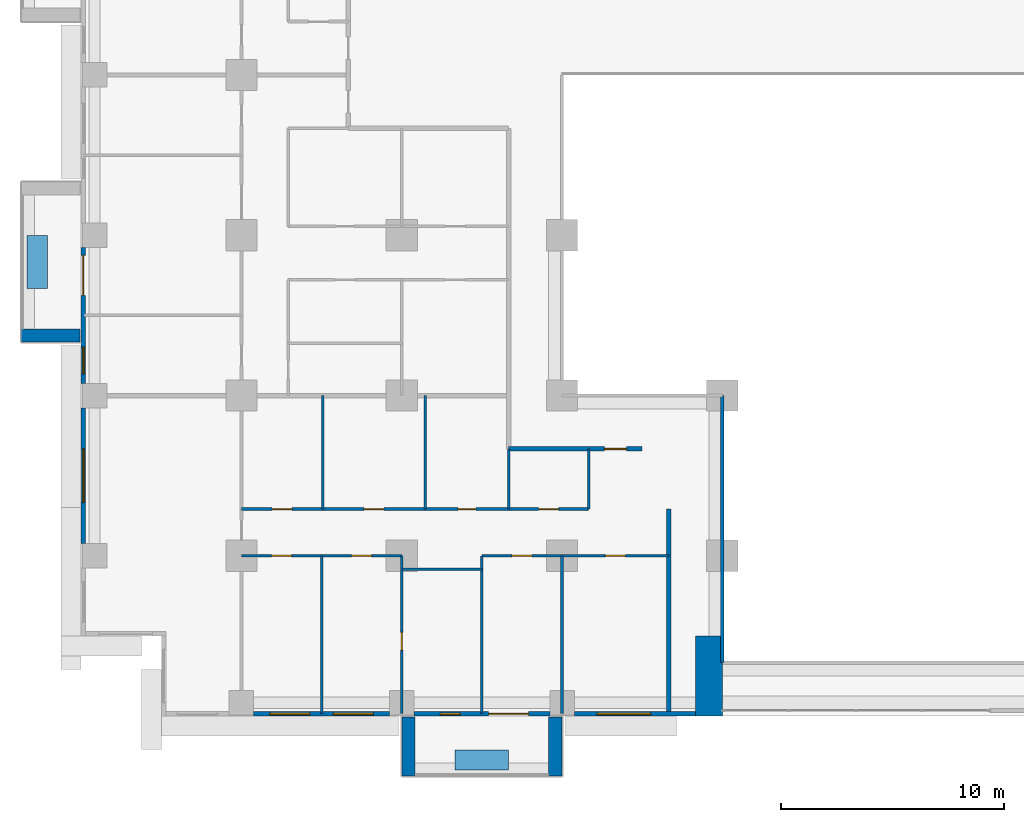
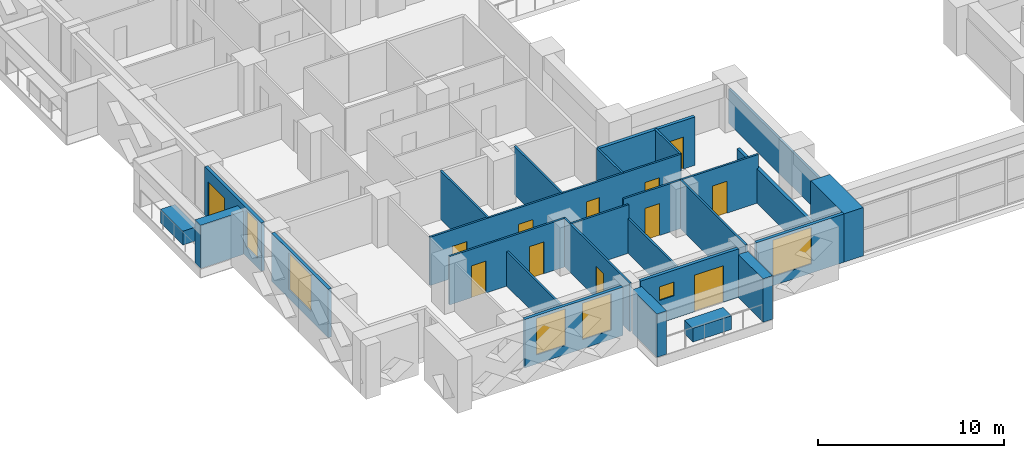
# One storey, part 6 of 17: 26 walls, 12 doors, 6 windows, 18 openings.
"""IFC4 building model written with IfcOpenShell, lengths in metres."""

import ifcopenshell
import ifcopenshell.guid

model = None  # the IFC model being written
_history = None  # IfcOwnerHistory: only IFC2X3 demands one
_inside = {}  # id of a spatial element -> (the spatial element, [elements in it])
_under = {}  # id of a project, library or spatial element -> (it, [spatial elements below it])
_declared = {}  # id of a project -> (the project, [libraries it declares])
_typed = {}  # id of a type object -> (the type object, [elements of that type])
_made_of = {}  # id of a material, layer set ... -> (it, [elements and type objects made of it])


def new_model(schema):
    """Start an empty IFC model of exactly this schema.

    Asked for "IFC4X3", IfcOpenShell would pick the latest addendum, in which some entities
    have other attributes; the version numbers below select the first issue.
    IFC2X3 requires an IfcOwnerHistory on every rooted entity: one is made here for all.
    """
    global model, _history
    if schema == "IFC4X3":
        model = ifcopenshell.file(schema_version=(4, 3, 0, 0))
    else:
        model = ifcopenshell.file(schema=schema)
    _inside.clear()
    _under.clear()
    _declared.clear()
    _typed.clear()
    _made_of.clear()
    _history = None
    if model.schema == "IFC2X3":
        org = make("IfcOrganization", Name="unknown")
        user = make(
            "IfcPersonAndOrganization",
            ThePerson=make("IfcPerson", FamilyName="unknown"),
            TheOrganization=org,
        )
        app = make(
            "IfcApplication",
            ApplicationDeveloper=org,
            Version="unknown",
            ApplicationFullName="unknown",
            ApplicationIdentifier="unknown",
        )
        _history = make(
            "IfcOwnerHistory",
            OwningUser=user,
            OwningApplication=app,
            ChangeAction="ADDED",
            CreationDate=0,
        )
    return model


def make(cls, **values):
    """One entity of the class cls with the attributes given. An attribute that is None is left unset."""
    return model.create_entity(
        cls, **{name: value for name, value in values.items() if value is not None}
    )


def rooted(cls, **values):
    """An entity with a GlobalId (a new one), such as an element, a storey or a relation."""
    return make(cls, GlobalId=ifcopenshell.guid.new(), OwnerHistory=_history, **values)


def si_unit(unit_type, name, prefix=None):
    """IfcSIUnit, for example si_unit("LENGTHUNIT", "METRE", prefix="MILLI")."""
    return make("IfcSIUnit", UnitType=unit_type, Prefix=prefix, Name=name)


def assignment(units):
    """IfcUnitAssignment: the units of a project."""
    return None if units is None else make("IfcUnitAssignment", Units=units)


def point(xyz):
    """IfcCartesianPoint."""
    return None if xyz is None else make("IfcCartesianPoint", Coordinates=xyz)


def direction(xyz):
    """IfcDirection."""
    return None if xyz is None else make("IfcDirection", DirectionRatios=xyz)


def frame(location, z_axis=None, x_axis=None):
    """IfcAxis2Placement3D, a coordinate frame: its origin and axes. An axis left out is left unset."""
    return make(
        "IfcAxis2Placement3D",
        Location=point(location),
        Axis=direction(z_axis),
        RefDirection=direction(x_axis),
    )


def frame_2d(location, x_axis=None):
    """IfcAxis2Placement2D, a coordinate frame in the plane: its origin and x axis."""
    return make(
        "IfcAxis2Placement2D", Location=point(location), RefDirection=direction(x_axis)
    )


def origin():
    """The frame at (0, 0, 0) with its axes left unset."""
    return frame((0.0, 0.0, 0.0))


def place(relative_to, where):
    """IfcLocalPlacement: puts the frame where relative to a parent placement (None: the world)."""
    return make(
        "IfcLocalPlacement", PlacementRelTo=relative_to, RelativePlacement=where
    )


def context(
    kind, dimensions, precision=None, world=None, true_north=None, identifier=None
):
    """IfcGeometricRepresentationContext, for example the 3D "Model" context."""
    return make(
        "IfcGeometricRepresentationContext",
        ContextIdentifier=identifier,
        ContextType=kind,
        CoordinateSpaceDimension=dimensions,
        Precision=precision,
        WorldCoordinateSystem=world,
        TrueNorth=true_north,
    )


def subcontext(parent, identifier, kind, view, scale=None):
    """IfcGeometricRepresentationSubContext, for example "Body" below "Model"."""
    return make(
        "IfcGeometricRepresentationSubContext",
        ContextIdentifier=identifier,
        ContextType=kind,
        ParentContext=parent,
        TargetScale=scale,
        TargetView=view,
    )


def project(units=None, contexts=None):
    """IfcProject with its units and contexts."""
    return rooted(
        "IfcProject",
        Name="project",
        RepresentationContexts=contexts,
        UnitsInContext=assignment(units),
    )


def spatial(cls, under=None, at=None, **own):
    """A site, building, storey or space (cls), placed at a placement, below another one or the project."""
    s = rooted(cls, ObjectPlacement=at, **own)
    if under is not None:
        _under.setdefault(under.id(), (under, []))[1].append(s)
    return s


def profile(cls, at=None, kind="AREA", **sizes):
    """A parametric profile (cls). Its sizes go by their IFC names, for example OverallWidth=200.0."""
    return make(cls, ProfileType=kind, Position=at, **sizes)


def rectangle(**sizes):
    """IfcRectangleProfileDef."""
    return profile("IfcRectangleProfileDef", **sizes)


def extrude(swept, where, along, depth):
    """IfcExtrudedAreaSolid: the profile swept, set in the frame where, extruded along a direction by depth."""
    return make(
        "IfcExtrudedAreaSolid",
        SweptArea=swept,
        Position=where,
        ExtrudedDirection=direction(along),
        Depth=depth,
    )


def shape(context_of_items, identifier, shape_type, items):
    """IfcShapeRepresentation: the items that make up one representation, for example the "Body"."""
    return make(
        "IfcShapeRepresentation",
        ContextOfItems=context_of_items,
        RepresentationIdentifier=identifier,
        RepresentationType=shape_type,
        Items=items,
    )


def material(Name=None, Category=None):
    """IfcMaterial."""
    return make("IfcMaterial", Name=Name, Category=Category)


def layer(
    of_material, thickness, ventilated=None, Name=None, Category=None, Priority=None
):
    """IfcMaterialLayer: one layer of a wall or slab, of a material (None: an air gap)."""
    return make(
        "IfcMaterialLayer",
        Material=of_material,
        LayerThickness=thickness,
        IsVentilated=ventilated,
        Name=Name,
        Category=Category,
        Priority=Priority,
    )


def layer_set(layers, Name=None):
    """IfcMaterialLayerSet."""
    return make("IfcMaterialLayerSet", MaterialLayers=layers, LayerSetName=Name)


def made_of(thing, what):
    """Note that an element or type object is made of a material, layer set ...; save() writes the relation."""
    if what is not None:
        _made_of.setdefault(what.id(), (what, []))[1].append(thing)
    return thing


def type_object(cls, material=None, **own):
    """A type object (cls), such as IfcWallType, which elements share."""
    return made_of(rooted(cls, **own), material)


def element(
    cls,
    number,
    at=None,
    inside=None,
    cuts=None,
    type_object=None,
    material=None,
    context=None,
    identifier="Body",
    shape_type=None,
    held_by="IfcProductDefinitionShape",
    body=None,
    shapes=None,
    **own,
):
    """One element of the class cls, such as IfcWall. Its Tag is "e" and its number.

    at: its placement. inside: the storey or other place that contains it. cuts: it is an
    opening in that element (IfcRelVoidsElement). A single representation is given by context,
    identifier, shape_type and body (its items); several are given by shapes. held_by: the class
    of the entity that holds the representations. save() writes the other relations.
    """
    e = rooted(cls, Tag="e%d" % number, ObjectPlacement=at, **own)
    if body is not None:
        shapes = [shape(context, identifier, shape_type, body)]
    if shapes is not None:
        e.Representation = make(held_by, Representations=shapes)
    if inside is not None:
        _inside.setdefault(inside.id(), (inside, []))[1].append(e)
    if cuts is not None:
        rooted(
            "IfcRelVoidsElement", RelatingBuildingElement=cuts, RelatedOpeningElement=e
        )
    if type_object is not None:
        _typed.setdefault(type_object.id(), (type_object, []))[1].append(e)
    return made_of(e, material)


def fill(opening, filler):
    """IfcRelFillsElement: the door or window that sits in an opening."""
    return rooted(
        "IfcRelFillsElement",
        RelatingOpeningElement=opening,
        RelatedBuildingElement=filler,
    )


def aggregate(whole, parts):
    """IfcRelAggregates: a whole, such as a stair, and the parts it consists of."""
    return rooted("IfcRelAggregates", RelatingObject=whole, RelatedObjects=parts)


def save(model, path):
    """Write the relations noted so far, then the file.

    IfcRelAggregates (storeys below a building ...), IfcRelContainedInSpatialStructure (elements
    in a storey), IfcRelDefinesByType, IfcRelAssociatesMaterial and IfcRelDeclares: one each for
    every whole, place, type object, material and project.
    """
    for whole, parts in _under.values():
        aggregate(whole, parts)
    for where, things in _inside.values():
        rooted(
            "IfcRelContainedInSpatialStructure",
            RelatedElements=things,
            RelatingStructure=where,
        )
    for kind, things in _typed.values():
        rooted("IfcRelDefinesByType", RelatedObjects=things, RelatingType=kind)
    for what, things in _made_of.values():
        rooted("IfcRelAssociatesMaterial", RelatedObjects=things, RelatingMaterial=what)
    for by, libraries in _declared.values():
        rooted("IfcRelDeclares", RelatingContext=by, RelatedDefinitions=libraries)
    model.write(path)


model = new_model("IFC4")

# Units and contexts
model_context = context("Model", 3, precision=1e-05, world=origin(), true_north=direction((0.0, 1.0)))
body_context = subcontext(model_context, "Body", "Model", "MODEL_VIEW")
ifc_project = project(units=[si_unit("LENGTHUNIT", "METRE"), si_unit("AREAUNIT", "SQUARE_METRE"), si_unit("VOLUMEUNIT", "CUBIC_METRE"), si_unit("PLANEANGLEUNIT", "RADIAN"), si_unit("MASSUNIT", "GRAM", prefix="KILO")], contexts=[model_context])

# Site, building, storey
site_placement = place(None, origin())
site = spatial("IfcSite", under=ifc_project, at=site_placement, CompositionType="ELEMENT")
building_placement = place(site_placement, origin())
building = spatial("IfcBuilding", under=site, at=building_placement, Name="Saffron Iwan Residences", CompositionType="ELEMENT")
storey_placement = place(building_placement, frame((0.0, 0.0, 34.0)))
storey = spatial("IfcBuildingStorey", under=building, at=storey_placement, Name="L07", CompositionType="ELEMENT", Elevation=34.0)

# Walls
ifc_material_1 = material(Name="Fire-rated glazing", Category="glass")
ifc_layer_1 = layer(ifc_material_1, 0.14990234375)
ifc_layer_set_1 = layer_set([ifc_layer_1], Name="Fire-rated glazing")
wall_type_1 = type_object("IfcWallType", Name="Atrium glazed screen 150", PredefinedType="SOLIDWALL", material=ifc_layer_set_1)
wall_1_placement = place(storey_placement, frame((43.199951171875, 36.0, 0.0), z_axis=(0.0, 0.0, 1.0), x_axis=(0.0, 1.0, 0.0)))
element("IfcWall", 1, at=wall_1_placement, inside=storey, type_object=wall_type_1, Name="W-L07-SCREEN-v43.2-36", PredefinedType="SOLIDWALL", context=body_context, shape_type="SweptSolid", body=[
    extrude(rectangle(XDim=12.0, YDim=0.14990234375, at=frame_2d((6.0, 0.0))), origin(), (0.0, 0.0, 1.0), 2.280029296875),
])
ifc_material_2 = material(Name="Concrete C50/60 white painted", Category="concrete")
ifc_layer_2 = layer(ifc_material_2, 0.60009765625)
ifc_layer_set_2 = layer_set([ifc_layer_2], Name="Concrete C50/60 white painted")
wall_type_2 = type_object("IfcWallType", Name="BALCONY FIN 600", PredefinedType="SOLIDWALL", material=ifc_layer_set_2)
for number, where, z_axis, x_axis, name in (
    (2, (14.35009765625, 50.699951171875, 0.0), (0.0, 0.0, 1.0), (-1.0, 0.0, 0.0), "Balcony fin L07 F8-1b"),
    (3, (29.10009765625, 33.550048828125, 0.0), (0.0, 0.0, 1.0), (0.0, -1.0, 0.0), "Balcony fin L07 11-0a"),
    (4, (35.699951171875, 33.550048828125, 0.0), (0.0, 0.0, 1.0), (0.0, -1.0, 0.0), "Balcony fin L07 11-0b"),
):
    element("IfcWall", number, at=place(storey_placement, frame(where, z_axis=z_axis, x_axis=x_axis)), inside=storey, type_object=wall_type_2, Name=name, PredefinedType="SOLIDWALL", context=body_context, shape_type="SweptSolid", body=[
        extrude(rectangle(XDim=2.650146484375, YDim=0.60009765625, at=frame_2d((1.3251953125, 0.0))), origin(), (0.0, 0.0, 1.0), 2.85009765625),
    ])
ifc_material_3 = material(Name="Concrete C35/45 white painted", Category="concrete")
ifc_layer_3 = layer(ifc_material_3, 0.14990234375)
ifc_layer_set_3 = layer_set([ifc_layer_3], Name="Concrete C35/45 white painted")
wall_type_3 = type_object("IfcWallType", Name="BALCONY PLANTER", PredefinedType="SOLIDWALL", material=ifc_layer_set_3)
wall_2_placement = place(storey_placement, frame((12.425048828125, 55.199951171875, 0.0), z_axis=(0.0, 0.0, 1.0), x_axis=(0.0, -1.0, 0.0)))
element("IfcWall", 5, at=wall_2_placement, inside=storey, type_object=wall_type_3, Name="PLANTER L07 F8-1", PredefinedType="SOLIDWALL", context=body_context, shape_type="SweptSolid", body=[
    extrude(rectangle(XDim=2.39990234375, YDim=0.89990234375, at=frame_2d((1.199951171875, 0.0))), origin(), (0.0, 0.0, 1.0), 0.89990234375),
])
wall_3_placement = place(storey_placement, frame((31.199951171875, 31.625, 0.0), z_axis=(0.0, 0.0, 1.0), x_axis=(1.0, 0.0, 0.0)))
element("IfcWall", 6, at=wall_3_placement, inside=storey, type_object=wall_type_3, Name="PLANTER L07 11-0", PredefinedType="SOLIDWALL", context=body_context, shape_type="SweptSolid", body=[
    extrude(rectangle(XDim=2.400146484375, YDim=0.89990234375, at=frame_2d((1.2001953125, 0.0))), origin(), (0.0, 0.0, 1.0), 0.89990234375),
])

# Wall, openings, door, window
ifc_material_4 = material(Name="Concrete C40/50", Category="concrete")
ifc_layer_4 = layer(ifc_material_4, 0.199951171875)
ifc_layer_set_4 = layer_set([ifc_layer_4], Name="Concrete C40/50")
wall_type_4 = type_object("IfcWallType", Name="EXTERNAL WALL 200", PredefinedType="SOLIDWALL", material=ifc_layer_set_4)
wall_4_placement = place(storey_placement, frame((14.5, 54.64990234375, 0.0), z_axis=(0.0, 0.0, 1.0), x_axis=(0.0, -1.0, 0.0)))
wall_4 = element("IfcWall", 7, at=wall_4_placement, inside=storey, type_object=wall_type_4, Name="External wall L07 F8.3", PredefinedType="SOLIDWALL", context=body_context, shape_type="SweptSolid", body=[
    extrude(rectangle(XDim=6.099853515625, YDim=0.199951171875, at=frame_2d((3.0498046875, 0.0))), origin(), (0.0, 0.0, 1.0), 3.179931640625),
])
opening_1_placement = place(wall_4_placement, frame((0.35009765625, 0.0, 0.0)))
opening_1 = element("IfcOpeningElement", 8, at=opening_1_placement, cuts=wall_4, Name="Opening BD1", PredefinedType="OPENING", context=body_context, shape_type="SweptSolid", body=[
    extrude(rectangle(XDim=1.800048828125, YDim=2.39990234375, at=frame_2d((0.89990234375, 1.199951171875))), frame((0.0, 0.10986328125, 0.0), z_axis=(0.0, -1.0, 0.0), x_axis=(1.0, 0.0, 0.0)), (0.0, 0.0, 1.0), 0.219970703125),
])
opening_2_placement = place(wall_4_placement, frame((4.47509765625, 0.0, 0.60009765625)))
opening_2 = element("IfcOpeningElement", 9, at=opening_2_placement, cuts=wall_4, Name="Opening W3", PredefinedType="OPENING", context=body_context, shape_type="SweptSolid", body=[
    extrude(rectangle(XDim=1.199951171875, YDim=2.39990234375, at=frame_2d((0.60009765625, 1.199951171875))), frame((0.0, 0.10986328125, 0.0), z_axis=(0.0, -1.0, 0.0), x_axis=(1.0, 0.0, 0.0)), (0.0, 0.0, 1.0), 0.219970703125),
])
ifc_material_5 = material(Name="Clear glass, laminated double glazed", Category="glass")
door_type_1 = type_object("IfcDoorType", Name="BALCONY DOOR 1800 x 2400", OperationType="DOUBLE_DOOR_SLIDING", PredefinedType="DOOR", material=ifc_material_5)
door_1_placement = place(opening_1_placement, origin())
door_1 = element("IfcDoor", 10, at=door_1_placement, inside=storey, type_object=door_type_1, Name="Balcony door L07 F8.0", OperationType="DOUBLE_DOOR_SLIDING", OverallHeight=2.39990234375, OverallWidth=1.800048828125, PredefinedType="DOOR", context=body_context, shape_type="SweptSolid", body=[
    extrude(rectangle(XDim=1.800048828125, YDim=2.39990234375, at=frame_2d((0.89990234375, 1.199951171875))), frame((0.0, 0.02490234375, 0.0), z_axis=(0.0, -1.0, 0.0), x_axis=(1.0, 0.0, 0.0)), (0.0, 0.0, 1.0), 0.050048828125),
])
fill(opening_1, door_1)
window_type_1 = type_object("IfcWindowType", Name="WINDOW 1200 x 2400", PartitioningType="SINGLE_PANEL", PredefinedType="WINDOW", material=ifc_material_5)
window_1_placement = place(opening_2_placement, origin())
window_1 = element("IfcWindow", 11, at=window_1_placement, inside=storey, type_object=window_type_1, Name="Window L07 F8.1", OverallHeight=2.39990234375, OverallWidth=1.199951171875, PartitioningType="SINGLE_PANEL", PredefinedType="WINDOW", context=body_context, shape_type="SweptSolid", body=[
    extrude(rectangle(XDim=1.199951171875, YDim=2.39990234375, at=frame_2d((0.60009765625, 1.199951171875))), frame((0.0, 0.030029296875, 0.0), z_axis=(0.0, -1.0, 0.0), x_axis=(1.0, 0.0, 0.0)), (0.0, 0.0, 1.0), 0.06005859375),
])
fill(opening_2, window_1)

# Wall, opening, window
wall_5_placement = place(storey_placement, frame((14.5, 47.449951171875, 0.0), z_axis=(0.0, 0.0, 1.0), x_axis=(0.0, -1.0, 0.0)))
wall_5 = element("IfcWall", 12, at=wall_5_placement, inside=storey, type_object=wall_type_4, Name="External wall L07 F8.4", PredefinedType="SOLIDWALL", context=body_context, shape_type="SweptSolid", body=[
    extrude(rectangle(XDim=6.099853515625, YDim=0.199951171875, at=frame_2d((3.0498046875, 0.0))), origin(), (0.0, 0.0, 1.0), 3.179931640625),
])
opening_3_placement = place(wall_5_placement, frame((1.85009765625, 0.0, 0.60009765625)))
opening_3 = element("IfcOpeningElement", 13, at=opening_3_placement, cuts=wall_5, Name="Opening W1", PredefinedType="OPENING", context=body_context, shape_type="SweptSolid", body=[
    extrude(rectangle(XDim=2.39990234375, YDim=2.39990234375, at=frame_2d((1.199951171875, 1.199951171875))), frame((0.0, 0.10986328125, 0.0), z_axis=(0.0, -1.0, 0.0), x_axis=(1.0, 0.0, 0.0)), (0.0, 0.0, 1.0), 0.219970703125),
])
window_type_2 = type_object("IfcWindowType", Name="WINDOW 2400 x 2400", PartitioningType="DOUBLE_PANEL_VERTICAL", PredefinedType="WINDOW", material=ifc_material_5)
window_2_placement = place(opening_3_placement, origin())
window_2 = element("IfcWindow", 14, at=window_2_placement, inside=storey, type_object=window_type_2, Name="Window L07 F8.0", OverallHeight=2.39990234375, OverallWidth=2.39990234375, PartitioningType="DOUBLE_PANEL_VERTICAL", PredefinedType="WINDOW", context=body_context, shape_type="SweptSolid", body=[
    extrude(rectangle(XDim=2.39990234375, YDim=2.39990234375, at=frame_2d((1.199951171875, 1.199951171875))), frame((0.0, 0.030029296875, 0.0), z_axis=(0.0, -1.0, 0.0), x_axis=(1.0, 0.0, 0.0)), (0.0, 0.0, 1.0), 0.06005859375),
])
fill(opening_3, window_2)

# Wall, openings, windows
wall_6_placement = place(storey_placement, frame((22.14990234375, 33.699951171875, 0.0), z_axis=(0.0, 0.0, 1.0), x_axis=(1.0, 0.0, 0.0)))
wall_6 = element("IfcWall", 15, at=wall_6_placement, inside=storey, type_object=wall_type_4, Name="External wall L07 F11.1", PredefinedType="SOLIDWALL", context=body_context, shape_type="SweptSolid", body=[
    extrude(rectangle(XDim=6.10009765625, YDim=0.199951171875, at=frame_2d((3.050048828125, 0.0))), origin(), (0.0, 0.0, 1.0), 3.179931640625),
])
opening_4_placement = place(wall_6_placement, frame((0.72509765625, 0.0, 0.60009765625)))
opening_4 = element("IfcOpeningElement", 16, at=opening_4_placement, cuts=wall_6, Name="Opening W8", PredefinedType="OPENING", context=body_context, shape_type="SweptSolid", body=[
    extrude(rectangle(XDim=1.800048828125, YDim=2.39990234375, at=frame_2d((0.89990234375, 1.199951171875))), frame((0.0, 0.10986328125, 0.0), z_axis=(0.0, -1.0, 0.0), x_axis=(1.0, 0.0, 0.0)), (0.0, 0.0, 1.0), 0.219970703125),
])
opening_5_placement = place(wall_6_placement, frame((3.574951171875, 0.0, 0.60009765625)))
opening_5 = element("IfcOpeningElement", 17, at=opening_5_placement, cuts=wall_6, Name="Opening W8", PredefinedType="OPENING", context=body_context, shape_type="SweptSolid", body=[
    extrude(rectangle(XDim=1.800048828125, YDim=2.39990234375, at=frame_2d((0.89990234375, 1.199951171875))), frame((0.0, 0.10986328125, 0.0), z_axis=(0.0, -1.0, 0.0), x_axis=(1.0, 0.0, 0.0)), (0.0, 0.0, 1.0), 0.219970703125),
])
window_type_3 = type_object("IfcWindowType", Name="WINDOW 1800 x 2400", PartitioningType="DOUBLE_PANEL_VERTICAL", PredefinedType="WINDOW", material=ifc_material_5)
window_3_placement = place(opening_4_placement, origin())
window_3 = element("IfcWindow", 18, at=window_3_placement, inside=storey, type_object=window_type_3, Name="Window L07 F11.0", OverallHeight=2.39990234375, OverallWidth=1.800048828125, PartitioningType="DOUBLE_PANEL_VERTICAL", PredefinedType="WINDOW", context=body_context, shape_type="SweptSolid", body=[
    extrude(rectangle(XDim=1.800048828125, YDim=2.39990234375, at=frame_2d((0.89990234375, 1.199951171875))), frame((0.0, 0.030029296875, 0.0), z_axis=(0.0, -1.0, 0.0), x_axis=(1.0, 0.0, 0.0)), (0.0, 0.0, 1.0), 0.06005859375),
])
fill(opening_4, window_3)
window_4_placement = place(opening_5_placement, origin())
window_4 = element("IfcWindow", 19, at=window_4_placement, inside=storey, type_object=window_type_3, Name="Window L07 F11.1", OverallHeight=2.39990234375, OverallWidth=1.800048828125, PartitioningType="DOUBLE_PANEL_VERTICAL", PredefinedType="WINDOW", context=body_context, shape_type="SweptSolid", body=[
    extrude(rectangle(XDim=1.800048828125, YDim=2.39990234375, at=frame_2d((0.89990234375, 1.199951171875))), frame((0.0, 0.030029296875, 0.0), z_axis=(0.0, -1.0, 0.0), x_axis=(1.0, 0.0, 0.0)), (0.0, 0.0, 1.0), 0.06005859375),
])
fill(opening_5, window_4)

# Wall, openings, door, window
wall_7_placement = place(storey_placement, frame((29.35009765625, 33.699951171875, 0.0), z_axis=(0.0, 0.0, 1.0), x_axis=(1.0, 0.0, 0.0)))
wall_7 = element("IfcWall", 20, at=wall_7_placement, inside=storey, type_object=wall_type_4, Name="External wall L07 F11.2", PredefinedType="SOLIDWALL", context=body_context, shape_type="SweptSolid", body=[
    extrude(rectangle(XDim=6.099853515625, YDim=0.199951171875, at=frame_2d((3.0498046875, 0.0))), origin(), (0.0, 0.0, 1.0), 3.179931640625),
])
opening_6_placement = place(wall_7_placement, frame((3.35009765625, 0.0, 0.0)))
opening_6 = element("IfcOpeningElement", 21, at=opening_6_placement, cuts=wall_7, Name="Opening BD1", PredefinedType="OPENING", context=body_context, shape_type="SweptSolid", body=[
    extrude(rectangle(XDim=1.800048828125, YDim=2.39990234375, at=frame_2d((0.89990234375, 1.199951171875))), frame((0.0, 0.10986328125, 0.0), z_axis=(0.0, -1.0, 0.0), x_axis=(1.0, 0.0, 0.0)), (0.0, 0.0, 1.0), 0.219970703125),
])
opening_7_placement = place(wall_7_placement, frame((1.175048828125, 0.0, 1.5)))
opening_7 = element("IfcOpeningElement", 22, at=opening_7_placement, cuts=wall_7, Name="Opening W6", PredefinedType="OPENING", context=body_context, shape_type="SweptSolid", body=[
    extrude(rectangle(XDim=0.89990234375, YDim=0.89990234375, at=frame_2d((0.449951171875, 0.449951171875))), frame((0.0, 0.10986328125, 0.0), z_axis=(0.0, -1.0, 0.0), x_axis=(1.0, 0.0, 0.0)), (0.0, 0.0, 1.0), 0.219970703125),
])
door_2_placement = place(opening_6_placement, origin())
door_2 = element("IfcDoor", 23, at=door_2_placement, inside=storey, type_object=door_type_1, Name="Balcony door L07 F11.0", OperationType="DOUBLE_DOOR_SLIDING", OverallHeight=2.39990234375, OverallWidth=1.800048828125, PredefinedType="DOOR", context=body_context, shape_type="SweptSolid", body=[
    extrude(rectangle(XDim=1.800048828125, YDim=2.39990234375, at=frame_2d((0.89990234375, 1.199951171875))), frame((0.0, 0.02490234375, 0.0), z_axis=(0.0, -1.0, 0.0), x_axis=(1.0, 0.0, 0.0)), (0.0, 0.0, 1.0), 0.050048828125),
])
fill(opening_6, door_2)
window_type_4 = type_object("IfcWindowType", Name="WINDOW 900 x 900 BATH", PartitioningType="SINGLE_PANEL", PredefinedType="WINDOW", material=ifc_material_5)
window_5_placement = place(opening_7_placement, origin())
window_5 = element("IfcWindow", 24, at=window_5_placement, inside=storey, type_object=window_type_4, Name="Window L07 F11.1", OverallHeight=0.89990234375, OverallWidth=0.89990234375, PartitioningType="SINGLE_PANEL", PredefinedType="WINDOW", context=body_context, shape_type="SweptSolid", body=[
    extrude(rectangle(XDim=0.89990234375, YDim=0.89990234375, at=frame_2d((0.449951171875, 0.449951171875))), frame((0.0, 0.030029296875, 0.0), z_axis=(0.0, -1.0, 0.0), x_axis=(1.0, 0.0, 0.0)), (0.0, 0.0, 1.0), 0.06005859375),
])
fill(opening_7, window_5)

# Wall, opening, window
wall_8_placement = place(storey_placement, frame((36.550048828125, 33.699951171875, 0.0), z_axis=(0.0, 0.0, 1.0), x_axis=(1.0, 0.0, 0.0)))
wall_8 = element("IfcWall", 25, at=wall_8_placement, inside=storey, type_object=wall_type_4, Name="External wall L07 F11.3", PredefinedType="SOLIDWALL", context=body_context, shape_type="SweptSolid", body=[
    extrude(rectangle(XDim=5.449951171875, YDim=0.199951171875, at=frame_2d((2.72509765625, 0.0))), origin(), (0.0, 0.0, 1.0), 3.179931640625),
])
opening_8_placement = place(wall_8_placement, frame((1.02490234375, 0.0, 0.60009765625)))
opening_8 = element("IfcOpeningElement", 26, at=opening_8_placement, cuts=wall_8, Name="Opening W1", PredefinedType="OPENING", context=body_context, shape_type="SweptSolid", body=[
    extrude(rectangle(XDim=2.39990234375, YDim=2.39990234375, at=frame_2d((1.199951171875, 1.199951171875))), frame((0.0, 0.10986328125, 0.0), z_axis=(0.0, -1.0, 0.0), x_axis=(1.0, 0.0, 0.0)), (0.0, 0.0, 1.0), 0.219970703125),
])
window_6_placement = place(opening_8_placement, origin())
window_6 = element("IfcWindow", 27, at=window_6_placement, inside=storey, type_object=window_type_2, Name="Window L07 F11.0", OverallHeight=2.39990234375, OverallWidth=2.39990234375, PartitioningType="DOUBLE_PANEL_VERTICAL", PredefinedType="WINDOW", context=body_context, shape_type="SweptSolid", body=[
    extrude(rectangle(XDim=2.39990234375, YDim=2.39990234375, at=frame_2d((1.199951171875, 1.199951171875))), frame((0.0, 0.030029296875, 0.0), z_axis=(0.0, -1.0, 0.0), x_axis=(1.0, 0.0, 0.0)), (0.0, 0.0, 1.0), 0.06005859375),
])
fill(opening_8, window_6)

# Wall
ifc_material_6 = material(Name="Gypsum board partition")
ifc_layer_5 = layer(ifc_material_6, 0.1201171875)
ifc_layer_set_5 = layer_set([ifc_layer_5], Name="Gypsum board partition")
wall_type_5 = type_object("IfcWallType", Name="Flat partition 120", PredefinedType="PARTITIONING", material=ifc_layer_set_5)
wall_9_placement = place(storey_placement, frame((28.800048828125, 40.199951171875, 0.0), z_axis=(0.0, 0.0, 1.0), x_axis=(1.0, 0.0, 0.0)))
element("IfcWall", 28, at=wall_9_placement, inside=storey, type_object=wall_type_5, Name="W-L07-PART-h40.2-28.8", PredefinedType="PARTITIONING", context=body_context, shape_type="SweptSolid", body=[
    extrude(rectangle(XDim=3.599853515625, YDim=0.1201171875, at=frame_2d((1.7998046875, 0.0))), origin(), (0.0, 0.0, 1.0), 3.179931640625),
])

# Wall, openings, doors
wall_10_placement = place(storey_placement, frame((21.60009765625, 40.800048828125, 0.0), z_axis=(0.0, 0.0, 1.0), x_axis=(1.0, 0.0, 0.0)))
wall_10 = element("IfcWall", 29, at=wall_10_placement, inside=storey, type_object=wall_type_5, Name="W-L07-PART-h40.8-21.6", PredefinedType="PARTITIONING", context=body_context, shape_type="SweptSolid", body=[
    extrude(rectangle(XDim=7.199951171875, YDim=0.1201171875, at=frame_2d((3.60009765625, 0.0))), origin(), (0.0, 0.0, 1.0), 3.179931640625),
])
opening_9_placement = place(wall_10_placement, frame((1.35009765625, 0.0, 0.0)))
opening_9 = element("IfcOpeningElement", 30, at=opening_9_placement, cuts=wall_10, Name="Opening FD2", PredefinedType="OPENING", context=body_context, shape_type="SweptSolid", body=[
    extrude(rectangle(XDim=0.89990234375, YDim=2.10009765625, at=frame_2d((0.449951171875, 1.050048828125))), frame((0.0, 0.070068359375, 0.0), z_axis=(0.0, -1.0, 0.0), x_axis=(1.0, 0.0, 0.0)), (0.0, 0.0, 1.0), 0.14013671875),
])
opening_10_placement = place(wall_10_placement, frame((4.949951171875, 0.0, 0.0)))
opening_10 = element("IfcOpeningElement", 31, at=opening_10_placement, cuts=wall_10, Name="Opening FD2", PredefinedType="OPENING", context=body_context, shape_type="SweptSolid", body=[
    extrude(rectangle(XDim=0.89990234375, YDim=2.10009765625, at=frame_2d((0.449951171875, 1.050048828125))), frame((0.0, 0.070068359375, 0.0), z_axis=(0.0, -1.0, 0.0), x_axis=(1.0, 0.0, 0.0)), (0.0, 0.0, 1.0), 0.14013671875),
])
ifc_material_7 = material(Name="Timber door", Category="wood")
door_type_2 = type_object("IfcDoorType", Name="Flat door 900", OperationType="NOTDEFINED", PredefinedType="DOOR", material=ifc_material_7)
door_3_placement = place(opening_9_placement, origin())
door_3 = element("IfcDoor", 32, at=door_3_placement, inside=storey, type_object=door_type_2, Name="Door L07-003", OperationType="SINGLE_SWING_RIGHT", OverallHeight=2.10009765625, OverallWidth=0.89990234375, PredefinedType="DOOR", context=body_context, shape_type="SweptSolid", body=[
    extrude(rectangle(XDim=0.89990234375, YDim=2.10009765625, at=frame_2d((0.449951171875, 1.050048828125))), frame((0.0, 0.02490234375, 0.0), z_axis=(0.0, -1.0, 0.0), x_axis=(1.0, 0.0, 0.0)), (0.0, 0.0, 1.0), 0.050048828125),
])
fill(opening_9, door_3)
door_4_placement = place(opening_10_placement, origin())
door_4 = element("IfcDoor", 33, at=door_4_placement, inside=storey, type_object=door_type_2, Name="Door L07-004", OperationType="SINGLE_SWING_LEFT", OverallHeight=2.10009765625, OverallWidth=0.89990234375, PredefinedType="DOOR", context=body_context, shape_type="SweptSolid", body=[
    extrude(rectangle(XDim=0.89990234375, YDim=2.10009765625, at=frame_2d((0.449951171875, 1.050048828125))), frame((0.0, 0.02490234375, 0.0), z_axis=(0.0, -1.0, 0.0), x_axis=(1.0, 0.0, 0.0)), (0.0, 0.0, 1.0), 0.050048828125),
])
fill(opening_10, door_4)

wall_11_placement = place(storey_placement, frame((32.39990234375, 40.800048828125, 0.0), z_axis=(0.0, 0.0, 1.0), x_axis=(1.0, 0.0, 0.0)))
wall_11 = element("IfcWall", 34, at=wall_11_placement, inside=storey, type_object=wall_type_5, Name="W-L07-PART-h40.8-32.4", PredefinedType="PARTITIONING", context=body_context, shape_type="SweptSolid", body=[
    extrude(rectangle(XDim=8.400146484375, YDim=0.1201171875, at=frame_2d((4.2001953125, 0.0))), origin(), (0.0, 0.0, 1.0), 3.179931640625),
])
opening_11_placement = place(wall_11_placement, frame((1.35009765625, 0.0, 0.0)))
opening_11 = element("IfcOpeningElement", 35, at=opening_11_placement, cuts=wall_11, Name="Opening FD2", PredefinedType="OPENING", context=body_context, shape_type="SweptSolid", body=[
    extrude(rectangle(XDim=0.89990234375, YDim=2.10009765625, at=frame_2d((0.449951171875, 1.050048828125))), frame((0.0, 0.070068359375, 0.0), z_axis=(0.0, -1.0, 0.0), x_axis=(1.0, 0.0, 0.0)), (0.0, 0.0, 1.0), 0.14013671875),
])
opening_12_placement = place(wall_11_placement, frame((5.550048828125, 0.0, 0.0)))
opening_12 = element("IfcOpeningElement", 36, at=opening_12_placement, cuts=wall_11, Name="Opening FD2", PredefinedType="OPENING", context=body_context, shape_type="SweptSolid", body=[
    extrude(rectangle(XDim=0.89990234375, YDim=2.10009765625, at=frame_2d((0.449951171875, 1.050048828125))), frame((0.0, 0.070068359375, 0.0), z_axis=(0.0, -1.0, 0.0), x_axis=(1.0, 0.0, 0.0)), (0.0, 0.0, 1.0), 0.14013671875),
])
door_5_placement = place(opening_11_placement, origin())
door_5 = element("IfcDoor", 37, at=door_5_placement, inside=storey, type_object=door_type_2, Name="Door L07-006", OperationType="SINGLE_SWING_RIGHT", OverallHeight=2.10009765625, OverallWidth=0.89990234375, PredefinedType="DOOR", context=body_context, shape_type="SweptSolid", body=[
    extrude(rectangle(XDim=0.89990234375, YDim=2.10009765625, at=frame_2d((0.449951171875, 1.050048828125))), frame((0.0, 0.02490234375, 0.0), z_axis=(0.0, -1.0, 0.0), x_axis=(1.0, 0.0, 0.0)), (0.0, 0.0, 1.0), 0.050048828125),
])
fill(opening_11, door_5)
door_6_placement = place(opening_12_placement, origin())
door_6 = element("IfcDoor", 38, at=door_6_placement, inside=storey, type_object=door_type_2, Name="Door L07-007", OperationType="SINGLE_SWING_LEFT", OverallHeight=2.10009765625, OverallWidth=0.89990234375, PredefinedType="DOOR", context=body_context, shape_type="SweptSolid", body=[
    extrude(rectangle(XDim=0.89990234375, YDim=2.10009765625, at=frame_2d((0.449951171875, 1.050048828125))), frame((0.0, 0.02490234375, 0.0), z_axis=(0.0, -1.0, 0.0), x_axis=(1.0, 0.0, 0.0)), (0.0, 0.0, 1.0), 0.050048828125),
])
fill(opening_12, door_6)

wall_12_placement = place(storey_placement, frame((21.60009765625, 42.89990234375, 0.0), z_axis=(0.0, 0.0, 1.0), x_axis=(1.0, 0.0, 0.0)))
wall_12 = element("IfcWall", 39, at=wall_12_placement, inside=storey, type_object=wall_type_5, Name="W-L07-PART-h42.9-21.6", PredefinedType="PARTITIONING", context=body_context, shape_type="SweptSolid", body=[
    extrude(rectangle(XDim=15.599853515625, YDim=0.1201171875, at=frame_2d((7.7998046875, 0.0))), origin(), (0.0, 0.0, 1.0), 3.179931640625),
])
opening_13_placement = place(wall_12_placement, frame((1.375, 0.0, 0.0)))
opening_13 = element("IfcOpeningElement", 40, at=opening_13_placement, cuts=wall_12, Name="Opening FD2", PredefinedType="OPENING", context=body_context, shape_type="SweptSolid", body=[
    extrude(rectangle(XDim=0.89990234375, YDim=2.10009765625, at=frame_2d((0.449951171875, 1.050048828125))), frame((0.0, 0.070068359375, 0.0), z_axis=(0.0, -1.0, 0.0), x_axis=(1.0, 0.0, 0.0)), (0.0, 0.0, 1.0), 0.14013671875),
])
opening_14_placement = place(wall_12_placement, frame((5.5, 0.0, 0.0)))
opening_14 = element("IfcOpeningElement", 41, at=opening_14_placement, cuts=wall_12, Name="Opening FD2", PredefinedType="OPENING", context=body_context, shape_type="SweptSolid", body=[
    extrude(rectangle(XDim=0.89990234375, YDim=2.10009765625, at=frame_2d((0.449951171875, 1.050048828125))), frame((0.0, 0.070068359375, 0.0), z_axis=(0.0, -1.0, 0.0), x_axis=(1.0, 0.0, 0.0)), (0.0, 0.0, 1.0), 0.14013671875),
])
opening_15_placement = place(wall_12_placement, frame((9.72509765625, 0.0, 0.0)))
opening_15 = element("IfcOpeningElement", 42, at=opening_15_placement, cuts=wall_12, Name="Opening FD3", PredefinedType="OPENING", context=body_context, shape_type="SweptSolid", body=[
    extrude(rectangle(XDim=0.800048828125, YDim=2.10009765625, at=frame_2d((0.39990234375, 1.050048828125))), frame((0.0, 0.070068359375, 0.0), z_axis=(0.0, -1.0, 0.0), x_axis=(1.0, 0.0, 0.0)), (0.0, 0.0, 1.0), 0.14013671875),
])
opening_16_placement = place(wall_12_placement, frame((13.35009765625, 0.0, 0.0)))
opening_16 = element("IfcOpeningElement", 43, at=opening_16_placement, cuts=wall_12, Name="Opening FD2", PredefinedType="OPENING", context=body_context, shape_type="SweptSolid", body=[
    extrude(rectangle(XDim=0.89990234375, YDim=2.10009765625, at=frame_2d((0.449951171875, 1.050048828125))), frame((0.0, 0.070068359375, 0.0), z_axis=(0.0, -1.0, 0.0), x_axis=(1.0, 0.0, 0.0)), (0.0, 0.0, 1.0), 0.14013671875),
])
door_type_3 = type_object("IfcDoorType", Name="Bathroom door 800", OperationType="NOTDEFINED", PredefinedType="DOOR", material=ifc_material_7)
door_7_placement = place(opening_15_placement, origin())
door_7 = element("IfcDoor", 44, at=door_7_placement, inside=storey, type_object=door_type_3, Name="Door L07-010", OperationType="SINGLE_SWING_LEFT", OverallHeight=2.10009765625, OverallWidth=0.800048828125, PredefinedType="DOOR", context=body_context, shape_type="SweptSolid", body=[
    extrude(rectangle(XDim=0.800048828125, YDim=2.10009765625, at=frame_2d((0.39990234375, 1.050048828125))), frame((0.0, 0.02490234375, 0.0), z_axis=(0.0, -1.0, 0.0), x_axis=(1.0, 0.0, 0.0)), (0.0, 0.0, 1.0), 0.050048828125),
])
fill(opening_15, door_7)
door_8_placement = place(opening_13_placement, origin())
door_8 = element("IfcDoor", 45, at=door_8_placement, inside=storey, type_object=door_type_2, Name="Door L07-008", OperationType="SINGLE_SWING_LEFT", OverallHeight=2.10009765625, OverallWidth=0.89990234375, PredefinedType="DOOR", context=body_context, shape_type="SweptSolid", body=[
    extrude(rectangle(XDim=0.89990234375, YDim=2.10009765625, at=frame_2d((0.449951171875, 1.050048828125))), frame((0.0, 0.02490234375, 0.0), z_axis=(0.0, -1.0, 0.0), x_axis=(1.0, 0.0, 0.0)), (0.0, 0.0, 1.0), 0.050048828125),
])
fill(opening_13, door_8)
door_9_placement = place(opening_14_placement, origin())
door_9 = element("IfcDoor", 46, at=door_9_placement, inside=storey, type_object=door_type_2, Name="Door L07-009", OperationType="SINGLE_SWING_RIGHT", OverallHeight=2.10009765625, OverallWidth=0.89990234375, PredefinedType="DOOR", context=body_context, shape_type="SweptSolid", body=[
    extrude(rectangle(XDim=0.89990234375, YDim=2.10009765625, at=frame_2d((0.449951171875, 1.050048828125))), frame((0.0, 0.02490234375, 0.0), z_axis=(0.0, -1.0, 0.0), x_axis=(1.0, 0.0, 0.0)), (0.0, 0.0, 1.0), 0.050048828125),
])
fill(opening_14, door_9)
door_10_placement = place(opening_16_placement, origin())
door_10 = element("IfcDoor", 47, at=door_10_placement, inside=storey, type_object=door_type_2, Name="Door L07-011", OperationType="SINGLE_SWING_LEFT", OverallHeight=2.10009765625, OverallWidth=0.89990234375, PredefinedType="DOOR", context=body_context, shape_type="SweptSolid", body=[
    extrude(rectangle(XDim=0.89990234375, YDim=2.10009765625, at=frame_2d((0.449951171875, 1.050048828125))), frame((0.0, 0.02490234375, 0.0), z_axis=(0.0, -1.0, 0.0), x_axis=(1.0, 0.0, 0.0)), (0.0, 0.0, 1.0), 0.050048828125),
])
fill(opening_16, door_10)

# Walls
wall_13_placement = place(storey_placement, frame((25.199951171875, 33.72509765625, 0.0), z_axis=(0.0, 0.0, 1.0), x_axis=(0.0, 1.0, 0.0)))
element("IfcWall", 48, at=wall_13_placement, inside=storey, type_object=wall_type_5, Name="W-L07-PART-v25.2-33.725", PredefinedType="PARTITIONING", context=body_context, shape_type="SweptSolid", body=[
    extrude(rectangle(XDim=7.074951171875, YDim=0.1201171875, at=frame_2d((3.53759765625, 0.0))), origin(), (0.0, 0.0, 1.0), 2.280029296875),
])
wall_14_placement = place(storey_placement, frame((25.25, 42.89990234375, 0.0), z_axis=(0.0, 0.0, 1.0), x_axis=(0.0, 1.0, 0.0)))
element("IfcWall", 49, at=wall_14_placement, inside=storey, type_object=wall_type_5, Name="W-L07-PART-v25.25-42.9", PredefinedType="PARTITIONING", context=body_context, shape_type="SweptSolid", body=[
    extrude(rectangle(XDim=5.10009765625, YDim=0.1201171875, at=frame_2d((2.550048828125, 0.0))), origin(), (0.0, 0.0, 1.0), 3.179931640625),
])

# Wall, opening, door
wall_15_placement = place(storey_placement, frame((28.800048828125, 33.72509765625, 0.0), z_axis=(0.0, 0.0, 1.0), x_axis=(0.0, 1.0, 0.0)))
wall_15 = element("IfcWall", 50, at=wall_15_placement, inside=storey, type_object=wall_type_5, Name="W-L07-PART-v28.8-33.725", PredefinedType="PARTITIONING", context=body_context, shape_type="SweptSolid", body=[
    extrude(rectangle(XDim=7.074951171875, YDim=0.1201171875, at=frame_2d((3.53759765625, 0.0))), origin(), (0.0, 0.0, 1.0), 3.179931640625),
])
opening_17_placement = place(wall_15_placement, frame((2.83740234375, 0.0, 0.0)))
opening_17 = element("IfcOpeningElement", 51, at=opening_17_placement, cuts=wall_15, Name="Opening FD3", PredefinedType="OPENING", context=body_context, shape_type="SweptSolid", body=[
    extrude(rectangle(XDim=0.800048828125, YDim=2.10009765625, at=frame_2d((0.39990234375, 1.050048828125))), frame((0.0, 0.070068359375, 0.0), z_axis=(0.0, -1.0, 0.0), x_axis=(1.0, 0.0, 0.0)), (0.0, 0.0, 1.0), 0.14013671875),
])
door_11_placement = place(opening_17_placement, origin())
door_11 = element("IfcDoor", 52, at=door_11_placement, inside=storey, type_object=door_type_3, Name="Door L07-005", OperationType="SINGLE_SWING_LEFT", OverallHeight=2.10009765625, OverallWidth=0.800048828125, PredefinedType="DOOR", context=body_context, shape_type="SweptSolid", body=[
    extrude(rectangle(XDim=0.800048828125, YDim=2.10009765625, at=frame_2d((0.39990234375, 1.050048828125))), frame((0.0, 0.02490234375, 0.0), z_axis=(0.0, -1.0, 0.0), x_axis=(1.0, 0.0, 0.0)), (0.0, 0.0, 1.0), 0.050048828125),
])
fill(opening_17, door_11)

# Walls
wall_16_placement = place(storey_placement, frame((29.85009765625, 42.89990234375, 0.0), z_axis=(0.0, 0.0, 1.0), x_axis=(0.0, 1.0, 0.0)))
element("IfcWall", 53, at=wall_16_placement, inside=storey, type_object=wall_type_5, Name="W-L07-PART-v29.85-42.9", PredefinedType="PARTITIONING", context=body_context, shape_type="SweptSolid", body=[
    extrude(rectangle(XDim=5.10009765625, YDim=0.1201171875, at=frame_2d((2.550048828125, 0.0))), origin(), (0.0, 0.0, 1.0), 3.179931640625),
])
wall_17_placement = place(storey_placement, frame((32.39990234375, 33.72509765625, 0.0), z_axis=(0.0, 0.0, 1.0), x_axis=(0.0, 1.0, 0.0)))
element("IfcWall", 54, at=wall_17_placement, inside=storey, type_object=wall_type_5, Name="W-L07-PART-v32.4-33.725", PredefinedType="PARTITIONING", context=body_context, shape_type="SweptSolid", body=[
    extrude(rectangle(XDim=7.074951171875, YDim=0.1201171875, at=frame_2d((3.53759765625, 0.0))), origin(), (0.0, 0.0, 1.0), 2.280029296875),
])
wall_18_placement = place(storey_placement, frame((33.60009765625, 42.89990234375, 0.0), z_axis=(0.0, 0.0, 1.0), x_axis=(0.0, 1.0, 0.0)))
element("IfcWall", 55, at=wall_18_placement, inside=storey, type_object=wall_type_5, Name="W-L07-PART-v33.6-42.9", PredefinedType="PARTITIONING", context=body_context, shape_type="SweptSolid", body=[
    extrude(rectangle(XDim=2.7001953125, YDim=0.1201171875, at=frame_2d((1.35009765625, 0.0))), origin(), (0.0, 0.0, 1.0), 3.179931640625),
])
wall_19_placement = place(storey_placement, frame((36.0, 33.72509765625, 0.0), z_axis=(0.0, 0.0, 1.0), x_axis=(0.0, 1.0, 0.0)))
element("IfcWall", 56, at=wall_19_placement, inside=storey, type_object=wall_type_5, Name="W-L07-PART-v36-33.725", PredefinedType="PARTITIONING", context=body_context, shape_type="SweptSolid", body=[
    extrude(rectangle(XDim=7.074951171875, YDim=0.1201171875, at=frame_2d((3.53759765625, 0.0))), origin(), (0.0, 0.0, 1.0), 3.179931640625),
])
wall_20_placement = place(storey_placement, frame((37.199951171875, 42.89990234375, 0.0), z_axis=(0.0, 0.0, 1.0), x_axis=(0.0, 1.0, 0.0)))
element("IfcWall", 57, at=wall_20_placement, inside=storey, type_object=wall_type_5, Name="W-L07-PART-v37.2-42.9", PredefinedType="PARTITIONING", context=body_context, shape_type="SweptSolid", body=[
    extrude(rectangle(XDim=2.7001953125, YDim=0.1201171875, at=frame_2d((1.35009765625, 0.0))), origin(), (0.0, 0.0, 1.0), 3.179931640625),
])

# Wall, opening, door
ifc_material_8 = material(Name="Fire-rated gypsum board wall")
ifc_layer_6 = layer(ifc_material_8, 0.199951171875)
ifc_layer_set_6 = layer_set([ifc_layer_6], Name="Fire-rated gypsum board wall")
wall_type_6 = type_object("IfcWallType", Name="Gallery wall 200", PredefinedType="SOLIDWALL", material=ifc_layer_set_6)
wall_21_placement = place(storey_placement, frame((33.60009765625, 45.60009765625, 0.0), z_axis=(0.0, 0.0, 1.0), x_axis=(1.0, 0.0, 0.0)))
wall_21 = element("IfcWall", 58, at=wall_21_placement, inside=storey, type_object=wall_type_6, Name="W-L07-CORR-h45.6-33.6", PredefinedType="SOLIDWALL", context=body_context, shape_type="SweptSolid", body=[
    extrude(rectangle(XDim=6.0, YDim=0.199951171875, at=frame_2d((3.0, 0.0))), origin(), (0.0, 0.0, 1.0), 3.179931640625),
])
opening_18_placement = place(wall_21_placement, frame((4.300048828125, 0.0, 0.0)))
opening_18 = element("IfcOpeningElement", 59, at=opening_18_placement, cuts=wall_21, Name="Opening FD1", PredefinedType="OPENING", context=body_context, shape_type="SweptSolid", body=[
    extrude(rectangle(XDim=1.0, YDim=2.10009765625, at=frame_2d((0.5, 1.050048828125))), frame((0.0, 0.10986328125, 0.0), z_axis=(0.0, -1.0, 0.0), x_axis=(1.0, 0.0, 0.0)), (0.0, 0.0, 1.0), 0.219970703125),
])
ifc_material_9 = material(Name="Fire-rated timber door", Category="wood")
door_type_4 = type_object("IfcDoorType", Name="FD30S flat entrance door 1000", OperationType="NOTDEFINED", PredefinedType="DOOR", material=ifc_material_9)
door_12_placement = place(opening_18_placement, origin())
door_12 = element("IfcDoor", 60, at=door_12_placement, inside=storey, type_object=door_type_4, Name="Door L07-001", OperationType="SINGLE_SWING_LEFT", OverallHeight=2.10009765625, OverallWidth=1.0, PredefinedType="DOOR", context=body_context, shape_type="SweptSolid", body=[
    extrude(rectangle(XDim=1.0, YDim=2.10009765625, at=frame_2d((0.5, 1.050048828125))), frame((0.0, 0.02490234375, 0.0), z_axis=(0.0, -1.0, 0.0), x_axis=(1.0, 0.0, 0.0)), (0.0, 0.0, 1.0), 0.050048828125),
])
fill(opening_18, door_12)

# Walls
wall_22_placement = place(storey_placement, frame((40.800048828125, 33.72509765625, 0.0), z_axis=(0.0, 0.0, 1.0), x_axis=(0.0, 1.0, 0.0)))
element("IfcWall", 61, at=wall_22_placement, inside=storey, type_object=wall_type_6, Name="W-L07-CORR-v40.8-33.725", PredefinedType="SOLIDWALL", context=body_context, shape_type="SweptSolid", body=[
    extrude(rectangle(XDim=9.1748046875, YDim=0.199951171875, at=frame_2d((4.58740234375, 0.0))), origin(), (0.0, 0.0, 1.0), 2.280029296875),
])
ifc_material_10 = material(Name="Concrete C60/75", Category="concrete")
ifc_layer_7 = layer(ifc_material_10, 1.199951171875)
ifc_layer_set_7 = layer_set([ifc_layer_7], Name="Concrete C60/75")
wall_type_7 = type_object("IfcWallType", Name="WALL IWAN PIER 1200 C60/75 3180 HIGH", PredefinedType="SHEAR", material=ifc_layer_set_7)
wall_23_placement = place(storey_placement, frame((42.60009765625, 33.60009765625, 0.0), z_axis=(0.0, 0.0, 1.0), x_axis=(0.0, 1.0, 0.0)))
element("IfcWall", 62, at=wall_23_placement, inside=storey, type_object=wall_type_7, Name="IWAN PIER", PredefinedType="SHEAR", context=body_context, shape_type="SweptSolid", body=[
    extrude(rectangle(XDim=3.599853515625, YDim=1.199951171875, at=frame_2d((1.7998046875, 0.0))), origin(), (0.0, 0.0, 1.0), 3.179931640625),
])

save(model, "model.ifc")
